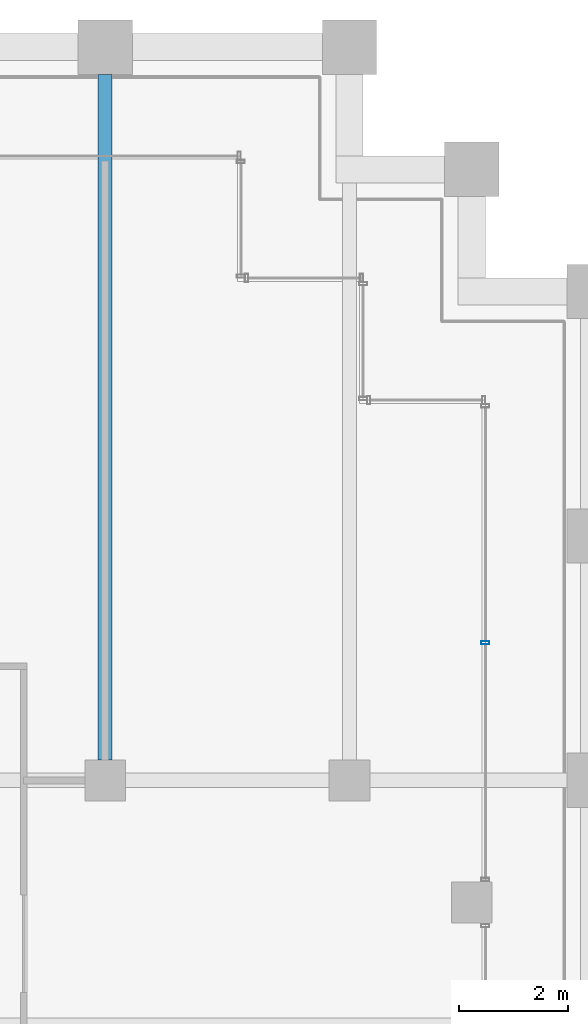
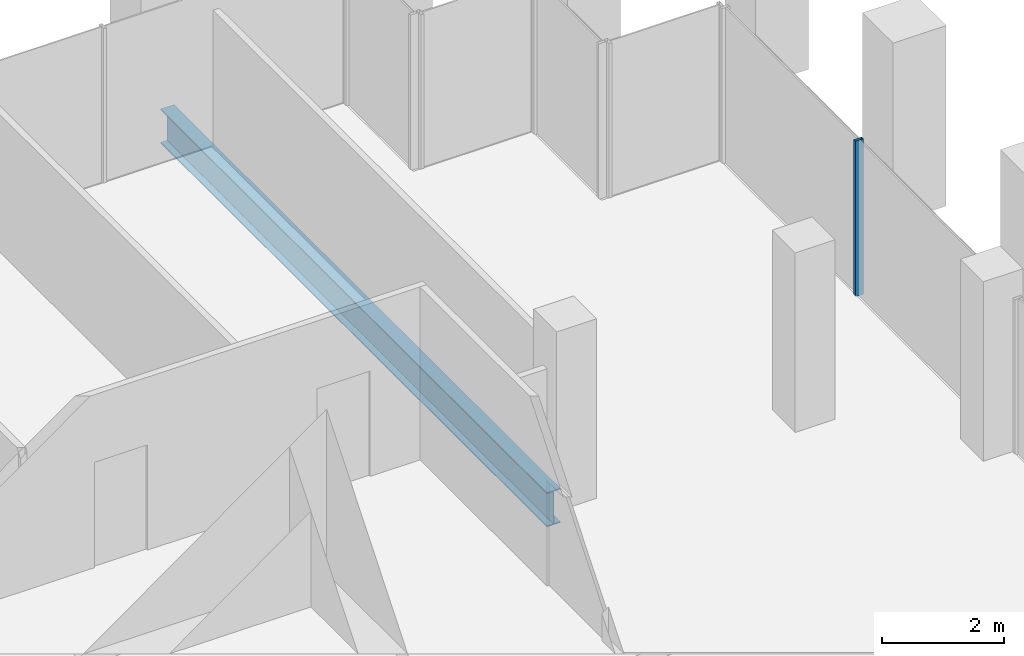
# One storey, part 24 of 46: 1 beam, 1 member, 1 element without a shape of its own.
"""IFC4 building model written with IfcOpenShell, lengths in metres."""

from ifc_helpers import new_model, si_unit, direction, frame, origin, origin_2d, place, context, subcontext, project, spatial, hollow_rectangle, i_section, extrude, material, material_profile, profile_set, type_object, element, aggregate, save


model = new_model("IFC4")

# Units and contexts
model_context = context("Model", 3, precision=1e-05, world=origin(), true_north=direction((0.0, 1.0)))
body_context = subcontext(model_context, "Body", "Model", "MODEL_VIEW")
ifc_project = project(units=[si_unit("LENGTHUNIT", "METRE"), si_unit("AREAUNIT", "SQUARE_METRE"), si_unit("VOLUMEUNIT", "CUBIC_METRE"), si_unit("PLANEANGLEUNIT", "RADIAN"), si_unit("MASSUNIT", "GRAM", prefix="KILO")], contexts=[model_context])

# Site, building, storey
site_placement = place(None, origin())
site = spatial("IfcSite", under=ifc_project, at=site_placement, CompositionType="ELEMENT")
building_placement = place(site_placement, origin())
building = spatial("IfcBuilding", under=site, at=building_placement, Name="Altepetl Exchange Towers", CompositionType="ELEMENT")
storey_placement = place(building_placement, frame((0.0, 0.0, 120.800048828125)))
storey = spatial("IfcBuildingStorey", under=building, at=storey_placement, Name="L29", CompositionType="ELEMENT", Elevation=120.800048828125)

# Beam
ifc_material_1 = material(Name="Steel S355", Category="steel")
ifc_material_profile_1 = material_profile(ifc_material_1, i_section(OverallWidth=0.25390625, OverallDepth=0.68408203125, WebThickness=0.012451171875, FlangeThickness=0.018798828125, at=origin_2d()), Name="W27X94")
ifc_profile_set_1 = profile_set([ifc_material_profile_1], Name="Steel S355")
beam_type = type_object("IfcBeamType", Name="Floor beam W27X94", PredefinedType="BEAM", material=ifc_profile_set_1)
beam_placement = place(storey_placement, frame((63.0, 58.875, -0.491943359375), z_axis=(0.0, 1.0, 0.0), x_axis=(-1.0, 0.0, 0.0)))
element("IfcBeam", 1, at=beam_placement, inside=storey, type_object=beam_type, Name="bm:A:L29:004", PredefinedType="BEAM", context=body_context, shape_type="SweptSolid", body=[
    extrude(i_section(OverallWidth=0.25390625, OverallDepth=0.68408203125, WebThickness=0.012451171875, FlangeThickness=0.018798828125, at=origin_2d()), origin(), (0.0, 0.0, 1.0), 12.625),
])

# Curtain wall, member
ifc_material_2 = material(Name="Aluminium 6063-T6 glazing", Category="aluminium")
curtain_wall_type = type_object("IfcCurtainWallType", Name="Loggia glazing system", PredefinedType="NOTDEFINED", material=ifc_material_2)
curtain_wall_placement = place(storey_placement, origin())
curtain_wall = element("IfcCurtainWall", 2, at=curtain_wall_placement, inside=storey, type_object=curtain_wall_type, Name="CW1 run", PredefinedType="NOTDEFINED")
ifc_material_3 = material(Name="Aluminium 6063-T6", Category="aluminium")
ifc_material_profile_2 = material_profile(ifc_material_3, hollow_rectangle(XDim=0.06005859375, YDim=0.14990234375, WallThickness=0.0029296875, at=origin_2d()), Name="Mullion 60x150 aluminium")
ifc_profile_set_2 = profile_set([ifc_material_profile_2], Name="Aluminium 6063-T6")
member_type = type_object("IfcMemberType", Name="Mullion 60x150 aluminium", PredefinedType="MULLION", material=ifc_profile_set_2)
member_placement = place(storey_placement, frame((70.0, 61.034912109375, 0.0), z_axis=(0.0, 0.0, 1.0), x_axis=(0.0, 1.0, 0.0)))
member = element("IfcMember", 3, at=member_placement, type_object=member_type, Name="MU1 mullion", PredefinedType="MULLION", context=body_context, shape_type="SweptSolid", body=[
    extrude(hollow_rectangle(XDim=0.06005859375, YDim=0.14990234375, WallThickness=0.0029296875, at=origin_2d()), origin(), (0.0, 0.0, 1.0), 3.099853515625),
])
aggregate(curtain_wall, [member])

save(model, "model.ifc")
